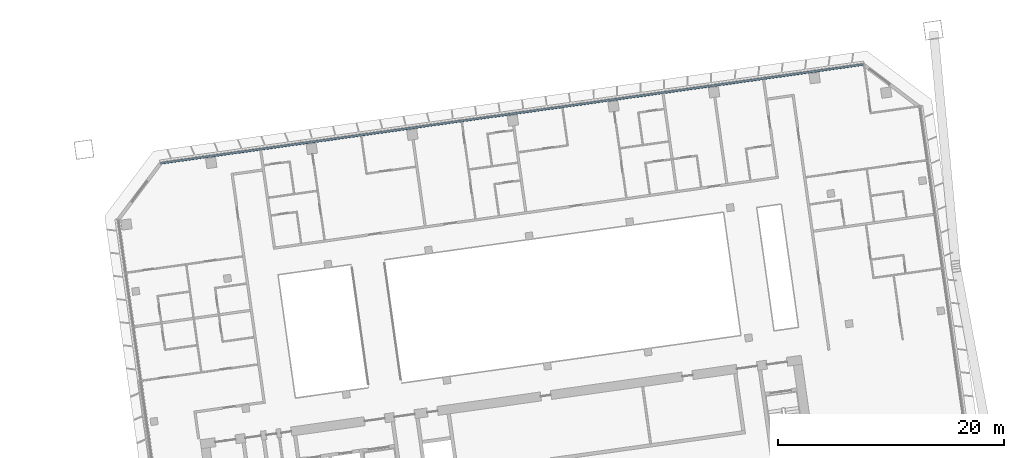
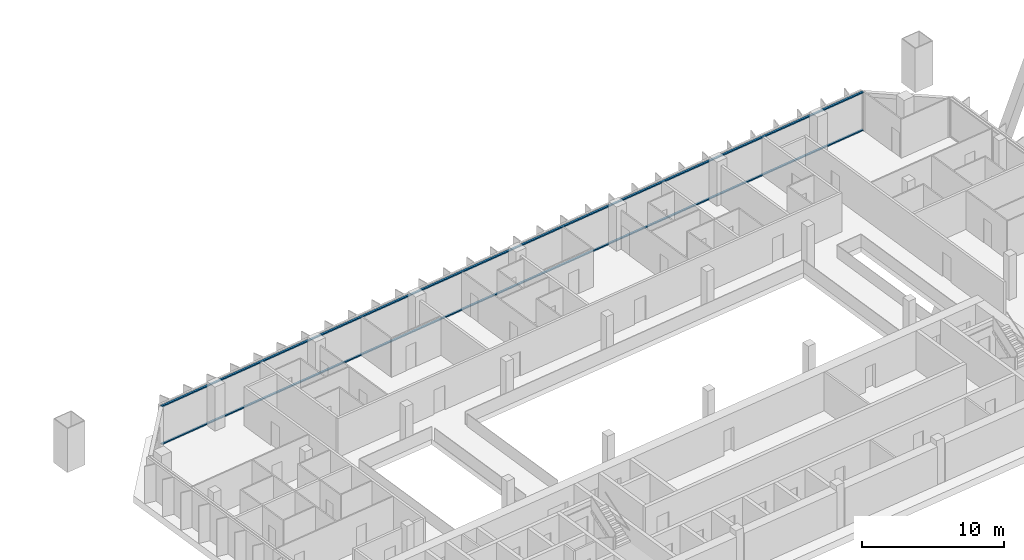
# One storey, part 12 of 33: 2 members, 1 element without a shape of its own.
"""IFC4 building model written with IfcOpenShell, lengths in metres."""

from ifc_helpers import new_model, si_unit, direction, frame, origin, origin_2d, place, context, subcontext, project, spatial, rectangle, extrude, material, material_profile, profile_set, type_object, element, aggregate, save


model = new_model("IFC4")

# Units and contexts
model_context = context("Model", 3, precision=1e-05, world=origin(), true_north=direction((0.0, 1.0)))
body_context = subcontext(model_context, "Body", "Model", "MODEL_VIEW")
ifc_project = project(units=[si_unit("LENGTHUNIT", "METRE"), si_unit("AREAUNIT", "SQUARE_METRE"), si_unit("VOLUMEUNIT", "CUBIC_METRE"), si_unit("PLANEANGLEUNIT", "RADIAN"), si_unit("MASSUNIT", "GRAM", prefix="KILO")], contexts=[model_context])

# Site, building, storey
site_placement = place(None, origin())
site = spatial("IfcSite", under=ifc_project, at=site_placement, CompositionType="ELEMENT")
building_placement = place(site_placement, origin())
building = spatial("IfcBuilding", under=site, at=building_placement, Name="Mirante Cascada Hotel Towers", CompositionType="ELEMENT")
storey_placement = place(building_placement, frame((0.0, 0.0, 121.5)))
storey = spatial("IfcBuildingStorey", under=building, at=storey_placement, Name="L27", CompositionType="ELEMENT", Elevation=121.5)

# Curtain wall, members
ifc_material_1 = material(Name="Aluminium mullion and transom frame with clear laminated glass", Category="aluminium")
curtain_wall_type = type_object("IfcCurtainWallType", Name="Ribbon curtain wall ECW1", PredefinedType="NOTDEFINED", material=ifc_material_1)
curtain_wall_placement = place(storey_placement, origin())
curtain_wall = element("IfcCurtainWall", 1, at=curtain_wall_placement, inside=storey, type_object=curtain_wall_type, Name="Front ribbon wall T2 L27", PredefinedType="NOTDEFINED")
ifc_material_2 = material(Name="Anodised aluminium extrusion", Category="aluminium")
ifc_material_profile = material_profile(ifc_material_2, rectangle(XDim=0.16, YDim=0.1, at=origin_2d()), Name="ECW1 TRANSOM 100x160")
ifc_profile_set = profile_set([ifc_material_profile], Name="Anodised aluminium extrusion")
member_type = type_object("IfcMemberType", Name="ECW1 transom 100x160", PredefinedType="USERDEFINED", material=ifc_profile_set)
member_1_placement = place(storey_placement, frame((94.1582, 26.0521, 0.05), z_axis=(-0.9902681, -0.1391728, 0.0), x_axis=(0.1391728, -0.9902681, 0.0)))
member_1 = element("IfcMember", 2, at=member_1_placement, type_object=member_type, Name="ECW1 sill transom", ObjectType="TRANSOM", PredefinedType="USERDEFINED", context=body_context, shape_type="SweptSolid", body=[
    extrude(rectangle(XDim=0.16, YDim=0.1, at=origin_2d()), origin(), (0.0, 0.0, 1.0), 62.8758),
])
member_2_placement = place(storey_placement, frame((94.1582, 26.0521, 3.3), z_axis=(-0.9902681, -0.1391728, 0.0), x_axis=(0.1391728, -0.9902681, 0.0)))
member_2 = element("IfcMember", 3, at=member_2_placement, type_object=member_type, Name="ECW1 head transom", ObjectType="TRANSOM", PredefinedType="USERDEFINED", context=body_context, shape_type="SweptSolid", body=[
    extrude(rectangle(XDim=0.16, YDim=0.1, at=origin_2d()), origin(), (0.0, 0.0, 1.0), 62.8758),
])
aggregate(curtain_wall, [member_1, member_2])

save(model, "model.ifc")
